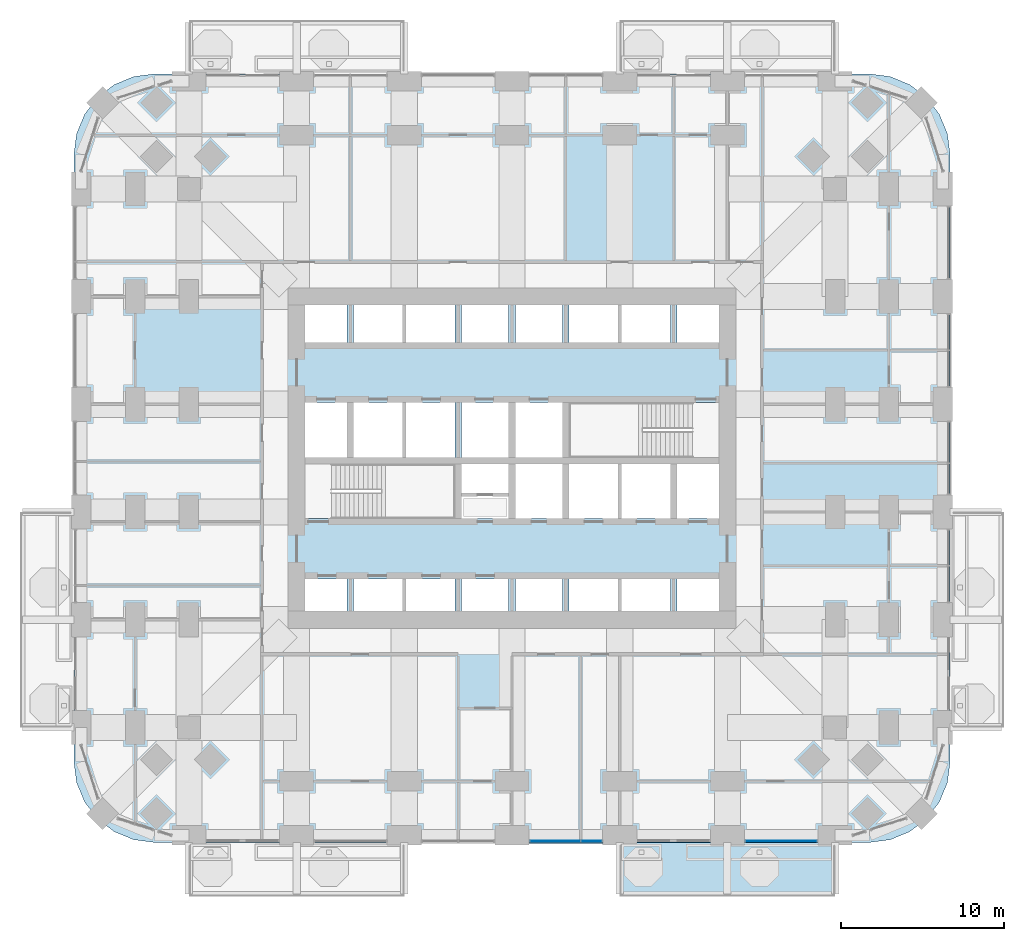
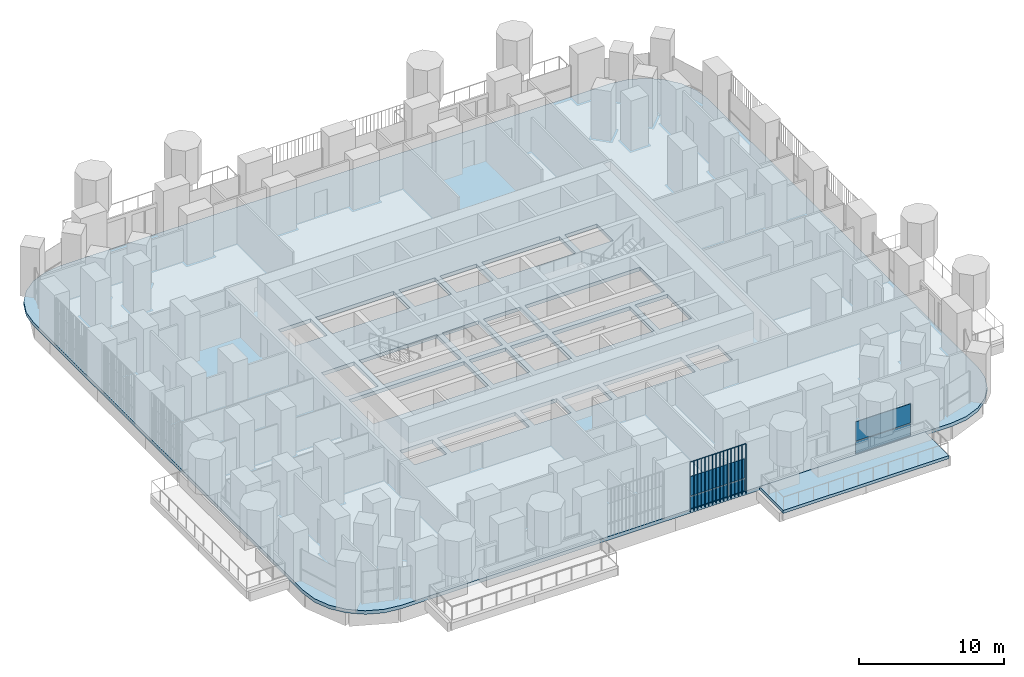
# One storey, part 13 of 27: 7 plates, 2 slabs, 2 elements without a shape of their own.
"""IFC4 building model written with IfcOpenShell, lengths in metres."""

from ifc_helpers import new_model, si_unit, direction, frame, origin, origin_2d, place, context, subcontext, project, spatial, polyline, rectangle, outline, extrude, material, layer, layer_set, type_object, element, aggregate, save


model = new_model("IFC4")

# Units and contexts
model_context = context("Model", 3, precision=1e-05, world=origin(), true_north=direction((0.0, 1.0)))
body_context = subcontext(model_context, "Body", "Model", "MODEL_VIEW")
ifc_project = project(units=[si_unit("LENGTHUNIT", "METRE"), si_unit("AREAUNIT", "SQUARE_METRE"), si_unit("VOLUMEUNIT", "CUBIC_METRE"), si_unit("PLANEANGLEUNIT", "RADIAN"), si_unit("MASSUNIT", "GRAM", prefix="KILO")], contexts=[model_context])

# Site, building, storey
site_placement = place(None, origin())
site = spatial("IfcSite", under=ifc_project, at=site_placement, CompositionType="ELEMENT")
building_placement = place(site_placement, origin())
building = spatial("IfcBuilding", under=site, at=building_placement, Name="Cobogo Forest Laboratory Tower", CompositionType="ELEMENT")
storey_placement = place(building_placement, frame((0.0, 0.0, 54.89990234375)))
storey = spatial("IfcBuildingStorey", under=building, at=storey_placement, Name="L12", CompositionType="ELEMENT", Elevation=54.89990234375)

# Slabs
ifc_material_1 = material(Name="Concrete HA-40 (C40/50)", Category="concrete")
ifc_layer_1 = layer(ifc_material_1, 0.25)
ifc_layer_set_1 = layer_set([ifc_layer_1], Name="Balcony slab 250")
slab_type_1 = type_object("IfcSlabType", Name="Balcony slab 250", PredefinedType="FLOOR", material=ifc_layer_set_1)
slab_1_placement = place(storey_placement, frame((0.0, 0.0, -0.25)))
element("IfcSlab", 1, at=slab_1_placement, inside=storey, type_object=slab_type_1, Name="Balcony BAL-S2 L12", PredefinedType="FLOOR", context=body_context, shape_type="SweptSolid", body=[
    extrude(outline(polyline([(33.0, -3.75), (46.199951171875, -3.75), (46.199951171875, -0.449951171875), (33.0, -0.449951171875), (33.0, -3.75)])), origin(), (0.0, 0.0, 1.0), 0.25),
])
ifc_layer_2 = layer(ifc_material_1, 0.300048828125)
ifc_layer_set_2 = layer_set([ifc_layer_2], Name="Floor slab 300")
slab_type_2 = type_object("IfcSlabType", Name="Floor slab 300", PredefinedType="FLOOR", material=ifc_layer_set_2)
slab_2_placement = place(storey_placement, frame((0.0, 0.0, -0.2998046875)))
element("IfcSlab", 2, at=slab_2_placement, inside=storey, type_object=slab_type_2, Name="L12 floor slab", PredefinedType="FLOOR", context=body_context, shape_type="SweptSolid", body=[
    extrude(outline(polyline([(48.300048828125, -0.449951171875), (49.5810546875, -0.28125), (50.77490234375, 0.213134765625), (51.80029296875, 0.999755859375), (52.5869140625, 2.02490234375), (53.081298828125, 3.21875), (53.25, 4.5), (53.25, 41.699951171875), (53.081298828125, 42.981201171875), (52.5869140625, 44.175048828125), (51.80029296875, 45.2001953125), (50.77490234375, 45.98681640625), (49.5810546875, 46.4814453125), (48.300048828125, 46.64990234375), (4.5, 46.64990234375), (3.21875, 46.4814453125), (2.02490234375, 45.98681640625), (0.999755859375, 45.2001953125), (0.213134765625, 44.175048828125), (-0.28125, 42.981201171875), (-0.449951171875, 41.699951171875), (-0.449951171875, 4.5), (-0.28125, 3.21875), (0.213134765625, 2.02490234375), (0.999755859375, 0.999755859375), (2.02490234375, 0.213134765625), (3.21875, -0.28125), (4.5, -0.449951171875), (48.300048828125, -0.449951171875)]), holes=[polyline([(16.300048828125, 13.72509765625), (13.72509765625, 13.72509765625), (13.72509765625, 15.699951171875), (16.300048828125, 15.699951171875), (16.300048828125, 13.72509765625)]), polyline([(22.89990234375, 15.699951171875), (22.89990234375, 13.72509765625), (16.699951171875, 13.72509765625), (16.699951171875, 15.699951171875), (22.89990234375, 15.699951171875)]), polyline([(23.300048828125, 13.72509765625), (23.300048828125, 15.699951171875), (26.199951171875, 15.699951171875), (26.199951171875, 13.72509765625), (23.300048828125, 13.72509765625)]), polyline([(29.5, 13.72509765625), (26.60009765625, 13.72509765625), (26.60009765625, 15.699951171875), (29.5, 15.699951171875), (29.5, 13.72509765625)]), polyline([(36.10009765625, 15.699951171875), (36.10009765625, 13.72509765625), (29.89990234375, 13.72509765625), (29.89990234375, 15.699951171875), (36.10009765625, 15.699951171875)]), polyline([(36.5, 13.72509765625), (36.5, 15.699951171875), (39.074951171875, 15.699951171875), (39.074951171875, 13.72509765625), (36.5, 13.72509765625)]), polyline([(13.72509765625, 19.39990234375), (13.72509765625, 22.75), (22.89990234375, 22.75), (22.89990234375, 19.39990234375), (13.72509765625, 19.39990234375)]), polyline([(23.300048828125, 19.39990234375), (23.300048828125, 22.75), (26.199951171875, 22.75), (26.199951171875, 19.39990234375), (23.300048828125, 19.39990234375)]), polyline([(26.60009765625, 19.39990234375), (26.60009765625, 22.75), (29.5, 22.75), (29.5, 19.39990234375), (26.60009765625, 19.39990234375)]), polyline([(36.10009765625, 22.75), (36.10009765625, 19.39990234375), (29.89990234375, 19.39990234375), (29.89990234375, 22.75), (36.10009765625, 22.75)]), polyline([(39.074951171875, 19.39990234375), (36.5, 19.39990234375), (36.5, 22.75), (39.074951171875, 22.75), (39.074951171875, 19.39990234375)]), polyline([(13.72509765625, 23.14990234375), (13.72509765625, 26.5), (16.300048828125, 26.5), (16.300048828125, 23.14990234375), (13.72509765625, 23.14990234375)]), polyline([(22.89990234375, 26.5), (22.89990234375, 23.14990234375), (16.699951171875, 23.14990234375), (16.699951171875, 26.5), (22.89990234375, 26.5)]), polyline([(23.300048828125, 23.14990234375), (23.300048828125, 26.5), (26.199951171875, 26.5), (26.199951171875, 23.14990234375), (23.300048828125, 23.14990234375)]), polyline([(26.60009765625, 23.14990234375), (26.60009765625, 26.5), (29.5, 26.5), (29.5, 23.14990234375), (26.60009765625, 23.14990234375)]), polyline([(29.89990234375, 23.14990234375), (29.89990234375, 26.5), (39.074951171875, 26.5), (39.074951171875, 23.14990234375), (29.89990234375, 23.14990234375)]), polyline([(13.72509765625, 30.199951171875), (13.72509765625, 32.47509765625), (16.300048828125, 32.47509765625), (16.300048828125, 30.199951171875), (13.72509765625, 30.199951171875)]), polyline([(22.89990234375, 32.47509765625), (22.89990234375, 30.199951171875), (16.699951171875, 30.199951171875), (16.699951171875, 32.47509765625), (22.89990234375, 32.47509765625)]), polyline([(23.300048828125, 30.199951171875), (23.300048828125, 32.47509765625), (26.199951171875, 32.47509765625), (26.199951171875, 30.199951171875), (23.300048828125, 30.199951171875)]), polyline([(26.60009765625, 30.199951171875), (26.60009765625, 32.47509765625), (29.5, 32.47509765625), (29.5, 30.199951171875), (26.60009765625, 30.199951171875)]), polyline([(36.10009765625, 32.47509765625), (36.10009765625, 30.199951171875), (29.89990234375, 30.199951171875), (29.89990234375, 32.47509765625), (36.10009765625, 32.47509765625)]), polyline([(36.5, 30.199951171875), (36.5, 32.47509765625), (39.074951171875, 32.47509765625), (39.074951171875, 30.199951171875), (36.5, 30.199951171875)])]), origin(), (0.0, 0.0, 1.0), 0.2998046875),
])

# Curtain wall, plates
ifc_material_2 = material(Name="Aluminium curtain wall", Category="aluminium")
curtain_wall_type = type_object("IfcCurtainWallType", Name="CW-1 unitised curtain wall, clear glazing, laboratory floors zones A and B", PredefinedType="USERDEFINED", material=ifc_material_2)
curtain_wall_1_placement = place(storey_placement, origin())
curtain_wall_1 = element("IfcCurtainWall", 3, at=curtain_wall_1_placement, inside=storey, type_object=curtain_wall_type, Name="Curtain wall 04 L12", ObjectType="UNITISED CURTAIN WALL", PredefinedType="USERDEFINED")
ifc_material_3 = material(Name="Clear insulated glass", Category="glass")
ifc_layer_3 = layer(ifc_material_3, 0.028076171875)
ifc_layer_set_3 = layer_set([ifc_layer_3], Name="GP-1 clear insulated glass unit 28")
plate_type_1 = type_object("IfcPlateType", Name="GP-1 clear insulated glass unit 28", PredefinedType="CURTAIN_PANEL", material=ifc_layer_set_3)
plate_1_placement = place(storey_placement, frame((29.0400390625, -0.35009765625, 0.0), z_axis=(0.0, 0.0, 1.0), x_axis=(1.0, 0.0, 0.0)))
plate_1 = element("IfcPlate", 4, at=plate_1_placement, type_object=plate_type_1, Name="CW-1 panel 1.1", PredefinedType="CURTAIN_PANEL", context=body_context, shape_type="SweptSolid", body=[
    extrude(rectangle(XDim=3.06005859375, YDim=0.028076171875, at=origin_2d()), origin(), (0.0, 0.0, 1.0), 1.02001953125),
])
plate_2_placement = place(storey_placement, frame((29.0400390625, -0.35009765625, 1.080078125), z_axis=(0.0, 0.0, 1.0), x_axis=(1.0, 0.0, 0.0)))
plate_2 = element("IfcPlate", 5, at=plate_2_placement, type_object=plate_type_1, Name="CW-1 panel 1.2", PredefinedType="CURTAIN_PANEL", context=body_context, shape_type="SweptSolid", body=[
    extrude(rectangle(XDim=3.06005859375, YDim=0.028076171875, at=origin_2d()), origin(), (0.0, 0.0, 1.0), 1.6201171875),
])
plate_3_placement = place(storey_placement, frame((31.260009765625, -0.35009765625, 0.0), z_axis=(0.0, 0.0, 1.0), x_axis=(1.0, 0.0, 0.0)))
plate_3 = element("IfcPlate", 6, at=plate_3_placement, type_object=plate_type_1, Name="CW-1 panel 2.1", PredefinedType="CURTAIN_PANEL", context=body_context, shape_type="SweptSolid", body=[
    extrude(rectangle(XDim=1.260009765625, YDim=0.028076171875, at=origin_2d()), origin(), (0.0, 0.0, 1.0), 1.02001953125),
])
plate_4_placement = place(storey_placement, frame((31.260009765625, -0.35009765625, 1.080078125), z_axis=(0.0, 0.0, 1.0), x_axis=(1.0, 0.0, 0.0)))
plate_4 = element("IfcPlate", 7, at=plate_4_placement, type_object=plate_type_1, Name="CW-1 panel 2.2", PredefinedType="CURTAIN_PANEL", context=body_context, shape_type="SweptSolid", body=[
    extrude(rectangle(XDim=1.260009765625, YDim=0.028076171875, at=origin_2d()), origin(), (0.0, 0.0, 1.0), 1.6201171875),
])
aggregate(curtain_wall_1, [plate_1, plate_2, plate_3, plate_4])

curtain_wall_2_placement = place(storey_placement, origin())
curtain_wall_2 = element("IfcCurtainWall", 8, at=curtain_wall_2_placement, inside=storey, type_object=curtain_wall_type, Name="Curtain wall 06 L12", ObjectType="UNITISED CURTAIN WALL", PredefinedType="USERDEFINED")
plate_5_placement = place(storey_placement, frame((42.89990234375, -0.35009765625, 0.0), z_axis=(0.0, 0.0, 1.0), x_axis=(1.0, 0.0, 0.0)))
plate_5 = element("IfcPlate", 9, at=plate_5_placement, type_object=plate_type_1, Name="CW-1 panel 1.1", PredefinedType="CURTAIN_PANEL", context=body_context, shape_type="SweptSolid", body=[
    extrude(rectangle(XDim=4.3798828125, YDim=0.028076171875, at=origin_2d()), origin(), (0.0, 0.0, 1.0), 1.02001953125),
])
plate_6_placement = place(storey_placement, frame((42.89990234375, -0.35009765625, 1.080078125), z_axis=(0.0, 0.0, 1.0), x_axis=(1.0, 0.0, 0.0)))
plate_6 = element("IfcPlate", 10, at=plate_6_placement, type_object=plate_type_1, Name="CW-1 panel 1.2", PredefinedType="CURTAIN_PANEL", context=body_context, shape_type="SweptSolid", body=[
    extrude(rectangle(XDim=4.3798828125, YDim=0.028076171875, at=origin_2d()), origin(), (0.0, 0.0, 1.0), 1.6201171875),
])
aggregate(curtain_wall_2, [plate_5, plate_6])

# Plate
ifc_material_4 = material(Name="Terracotta", Category="masonry")
plate_type_2 = type_object("IfcPlateType", Name="TB1 terracotta baguette screen", PredefinedType="USERDEFINED", material=ifc_material_4)
plate_7_placement = place(storey_placement, frame((27.481201171875, -0.477783203125, -0.14990234375)))
element("IfcPlate", 11, at=plate_7_placement, inside=storey, type_object=plate_type_2, Name="Baguette screen S4 L12", ObjectType="BAGUETTE SCREEN", PredefinedType="USERDEFINED", context=body_context, shape_type="SweptSolid", body=[
    extrude(outline(polyline([(0.02880859375, 0.011962890625), (0.011962890625, 0.02880859375), (-0.011962890625, 0.02880859375), (-0.02880859375, 0.011962890625), (-0.02880859375, -0.011962890625), (-0.011962890625, -0.02880859375), (0.011962890625, -0.02880859375), (0.02880859375, -0.011962890625), (0.02880859375, 0.011962890625)])), frame((0.0, 0.0, 4.168701171875), z_axis=(1.0, 0.0, 0.0), x_axis=(0.0, 1.0, 0.0)), (0.0, 0.0, 1.0), 4.4375),
    extrude(outline(polyline([(0.02880859375, 0.011962890625), (0.011962890625, 0.02880859375), (-0.011962890625, 0.02880859375), (-0.02880859375, 0.011962890625), (-0.02880859375, -0.011962890625), (-0.011962890625, -0.02880859375), (0.011962890625, -0.02880859375), (0.02880859375, -0.011962890625), (0.02880859375, 0.011962890625)])), origin(), (0.0, 0.0, 1.0), 4.137451171875),
    extrude(outline(polyline([(0.02880859375, 0.011962890625), (0.011962890625, 0.02880859375), (-0.011962890625, 0.02880859375), (-0.02880859375, 0.011962890625), (-0.02880859375, -0.011962890625), (-0.011962890625, -0.02880859375), (0.011962890625, -0.02880859375), (0.02880859375, -0.011962890625), (0.02880859375, 0.011962890625)])), frame((0.2958984375, 0.0, 0.0)), (0.0, 0.0, 1.0), 4.137451171875),
    extrude(outline(polyline([(0.02880859375, 0.011962890625), (0.011962890625, 0.02880859375), (-0.011962890625, 0.02880859375), (-0.02880859375, 0.011962890625), (-0.02880859375, -0.011962890625), (-0.011962890625, -0.02880859375), (0.011962890625, -0.02880859375), (0.02880859375, -0.011962890625), (0.02880859375, 0.011962890625)])), frame((0.591552734375, 0.0, 0.0)), (0.0, 0.0, 1.0), 4.137451171875),
    extrude(outline(polyline([(0.02880859375, 0.011962890625), (0.011962890625, 0.02880859375), (-0.011962890625, 0.02880859375), (-0.02880859375, 0.011962890625), (-0.02880859375, -0.011962890625), (-0.011962890625, -0.02880859375), (0.011962890625, -0.02880859375), (0.02880859375, -0.011962890625), (0.02880859375, 0.011962890625)])), frame((0.887451171875, 0.0, 0.0)), (0.0, 0.0, 1.0), 4.137451171875),
    extrude(outline(polyline([(0.02880859375, 0.011962890625), (0.011962890625, 0.02880859375), (-0.011962890625, 0.02880859375), (-0.02880859375, 0.011962890625), (-0.02880859375, -0.011962890625), (-0.011962890625, -0.02880859375), (0.011962890625, -0.02880859375), (0.02880859375, -0.011962890625), (0.02880859375, 0.011962890625)])), frame((1.183349609375, 0.0, 0.0)), (0.0, 0.0, 1.0), 4.137451171875),
    extrude(outline(polyline([(0.02880859375, 0.011962890625), (0.011962890625, 0.02880859375), (-0.011962890625, 0.02880859375), (-0.02880859375, 0.011962890625), (-0.02880859375, -0.011962890625), (-0.011962890625, -0.02880859375), (0.011962890625, -0.02880859375), (0.02880859375, -0.011962890625), (0.02880859375, 0.011962890625)])), frame((1.479248046875, 0.0, 0.0)), (0.0, 0.0, 1.0), 4.137451171875),
    extrude(outline(polyline([(0.02880859375, 0.011962890625), (0.011962890625, 0.02880859375), (-0.011962890625, 0.02880859375), (-0.02880859375, 0.011962890625), (-0.02880859375, -0.011962890625), (-0.011962890625, -0.02880859375), (0.011962890625, -0.02880859375), (0.02880859375, -0.011962890625), (0.02880859375, 0.011962890625)])), frame((1.77490234375, 0.0, 0.0)), (0.0, 0.0, 1.0), 4.137451171875),
    extrude(outline(polyline([(0.02880859375, 0.011962890625), (0.011962890625, 0.02880859375), (-0.011962890625, 0.02880859375), (-0.02880859375, 0.011962890625), (-0.02880859375, -0.011962890625), (-0.011962890625, -0.02880859375), (0.011962890625, -0.02880859375), (0.02880859375, -0.011962890625), (0.02880859375, 0.011962890625)])), frame((2.07080078125, 0.0, 0.0)), (0.0, 0.0, 1.0), 4.137451171875),
    extrude(outline(polyline([(0.02880859375, 0.011962890625), (0.011962890625, 0.02880859375), (-0.011962890625, 0.02880859375), (-0.02880859375, 0.011962890625), (-0.02880859375, -0.011962890625), (-0.011962890625, -0.02880859375), (0.011962890625, -0.02880859375), (0.02880859375, -0.011962890625), (0.02880859375, 0.011962890625)])), frame((2.36669921875, 0.0, 0.0)), (0.0, 0.0, 1.0), 4.137451171875),
    extrude(outline(polyline([(0.02880859375, 0.011962890625), (0.011962890625, 0.02880859375), (-0.011962890625, 0.02880859375), (-0.02880859375, 0.011962890625), (-0.02880859375, -0.011962890625), (-0.011962890625, -0.02880859375), (0.011962890625, -0.02880859375), (0.02880859375, -0.011962890625), (0.02880859375, 0.011962890625)])), frame((2.66259765625, 0.0, 0.0)), (0.0, 0.0, 1.0), 4.137451171875),
    extrude(outline(polyline([(0.02880859375, 0.011962890625), (0.011962890625, 0.02880859375), (-0.011962890625, 0.02880859375), (-0.02880859375, 0.011962890625), (-0.02880859375, -0.011962890625), (-0.011962890625, -0.02880859375), (0.011962890625, -0.02880859375), (0.02880859375, -0.011962890625), (0.02880859375, 0.011962890625)])), frame((2.958251953125, 0.0, 0.0)), (0.0, 0.0, 1.0), 4.137451171875),
    extrude(outline(polyline([(0.02880859375, 0.011962890625), (0.011962890625, 0.02880859375), (-0.011962890625, 0.02880859375), (-0.02880859375, 0.011962890625), (-0.02880859375, -0.011962890625), (-0.011962890625, -0.02880859375), (0.011962890625, -0.02880859375), (0.02880859375, -0.011962890625), (0.02880859375, 0.011962890625)])), frame((3.254150390625, 0.0, 0.0)), (0.0, 0.0, 1.0), 4.137451171875),
    extrude(outline(polyline([(0.02880859375, 0.011962890625), (0.011962890625, 0.02880859375), (-0.011962890625, 0.02880859375), (-0.02880859375, 0.011962890625), (-0.02880859375, -0.011962890625), (-0.011962890625, -0.02880859375), (0.011962890625, -0.02880859375), (0.02880859375, -0.011962890625), (0.02880859375, 0.011962890625)])), frame((3.550048828125, 0.0, 0.0)), (0.0, 0.0, 1.0), 4.137451171875),
    extrude(outline(polyline([(0.02880859375, 0.011962890625), (0.011962890625, 0.02880859375), (-0.011962890625, 0.02880859375), (-0.02880859375, 0.011962890625), (-0.02880859375, -0.011962890625), (-0.011962890625, -0.02880859375), (0.011962890625, -0.02880859375), (0.02880859375, -0.011962890625), (0.02880859375, 0.011962890625)])), frame((3.845947265625, 0.0, 0.0)), (0.0, 0.0, 1.0), 4.137451171875),
    extrude(outline(polyline([(0.02880859375, 0.011962890625), (0.011962890625, 0.02880859375), (-0.011962890625, 0.02880859375), (-0.02880859375, 0.011962890625), (-0.02880859375, -0.011962890625), (-0.011962890625, -0.02880859375), (0.011962890625, -0.02880859375), (0.02880859375, -0.011962890625), (0.02880859375, 0.011962890625)])), frame((4.1416015625, 0.0, 0.0)), (0.0, 0.0, 1.0), 4.137451171875),
    extrude(outline(polyline([(0.02880859375, 0.011962890625), (0.011962890625, 0.02880859375), (-0.011962890625, 0.02880859375), (-0.02880859375, 0.011962890625), (-0.02880859375, -0.011962890625), (-0.011962890625, -0.02880859375), (0.011962890625, -0.02880859375), (0.02880859375, -0.011962890625), (0.02880859375, 0.011962890625)])), frame((4.4375, 0.0, 0.0)), (0.0, 0.0, 1.0), 4.137451171875),
])

save(model, "model.ifc")
